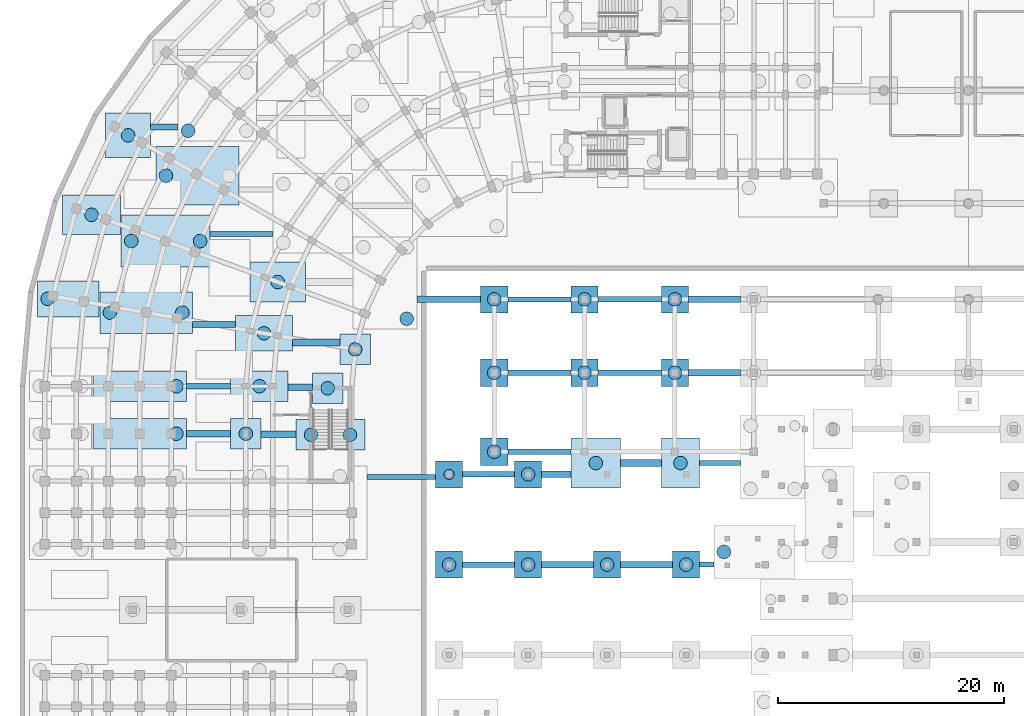
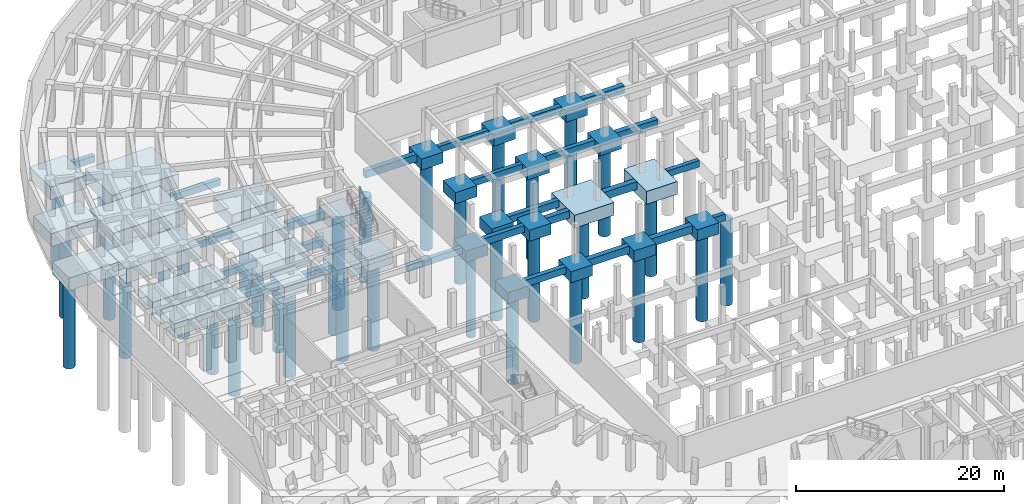
# One storey, part 6 of 53: 56 footings, 36 piles.
"""IFC4 building model written with IfcOpenShell, lengths in metres."""

from ifc_helpers import new_model, si_unit, direction, frame, origin, origin_2d, place, context, subcontext, project, spatial, rectangle, circle, extrude, material, material_profile, profile_set, type_object, element, save


model = new_model("IFC4")

# Units and contexts
model_context = context("Model", 3, precision=1e-05, world=origin(), true_north=direction((0.0, 1.0)))
body_context = subcontext(model_context, "Body", "Model", "MODEL_VIEW")
ifc_project = project(units=[si_unit("LENGTHUNIT", "METRE"), si_unit("AREAUNIT", "SQUARE_METRE"), si_unit("VOLUMEUNIT", "CUBIC_METRE"), si_unit("PLANEANGLEUNIT", "RADIAN"), si_unit("MASSUNIT", "GRAM", prefix="KILO")], contexts=[model_context])

# Site, building, storey
site_placement = place(None, origin())
site = spatial("IfcSite", under=ifc_project, at=site_placement, CompositionType="ELEMENT")
building_placement = place(site_placement, origin())
building = spatial("IfcBuilding", under=site, at=building_placement, Name="Kiranvali Square Residences", CompositionType="ELEMENT")
storey_placement = place(building_placement, frame((0.0, 0.0, -4.5)))
storey = spatial("IfcBuildingStorey", under=building, at=storey_placement, Name="B1", CompositionType="ELEMENT", Elevation=-4.5)

# Footings
ifc_material = material(Name="Concrete M40 (40 MPa)", Category="concrete")
footing_type_1 = type_object("IfcFootingType", Name="FTG-PILE_CAP-240x240x130", PredefinedType="PILE_CAP", material=ifc_material)
for number, where, z_axis, x_axis, name in (
    (1, (38.0, 72.0, -1.7998046875), (0.0, 0.0, 1.0), (1.0, 0.0, 0.0), "B1 pile cap 182"),
    (2, (45.0, 72.0, -1.7998046875), (0.0, 0.0, 1.0), (1.0, 0.0, 0.0), "B1 pile cap 183"),
    (3, (52.0, 72.0, -1.7998046875), (0.0, 0.0, 1.0), (1.0, 0.0, 0.0), "B1 pile cap 184"),
    (4, (59.0, 72.0, -1.7998046875), (0.0, 0.0, 1.0), (1.0, 0.0, 0.0), "B1 pile cap 185"),
    (5, (38.0, 80.0, -1.7998046875), (0.0, 0.0, 1.0), (1.0, 0.0, 0.0), "B1 pile cap 205"),
    (6, (45.0, 80.0, -1.7998046875), (0.0, 0.0, 1.0), (1.0, 0.0, 0.0), "B1 pile cap 206"),
    (7, (42.0, 82.0, -1.7998046875), (0.0, 0.0, 1.0), (1.0, 0.0, 0.0), "B1 pile cap 209"),
    (8, (42.0, 89.0, -1.7998046875), (0.0, 0.0, 1.0), (1.0, 0.0, 0.0), "B1 pile cap 237"),
    (9, (50.0, 89.0, -1.7998046875), (0.0, 0.0, 1.0), (1.0, 0.0, 0.0), "B1 pile cap 238"),
    (10, (58.0, 89.0, -1.7998046875), (0.0, 0.0, 1.0), (1.0, 0.0, 0.0), "B1 pile cap 239"),
    (11, (42.0, 95.5, -1.7998046875), (0.0, 0.0, 1.0), (1.0, 0.0, 0.0), "B1 pile cap 258"),
    (12, (50.0, 95.5, -1.7998046875), (0.0, 0.0, 1.0), (1.0, 0.0, 0.0), "B1 pile cap 259"),
    (13, (58.0, 95.5, -1.7998046875), (0.0, 0.0, 1.0), (1.0, 0.0, 0.0), "B1 pile cap 260"),
):
    element("IfcFooting", number, at=place(storey_placement, frame(where, z_axis=z_axis, x_axis=x_axis)), inside=storey, type_object=footing_type_1, Name=name, PredefinedType="PILE_CAP", context=body_context, shape_type="SweptSolid", body=[
        extrude(rectangle(XDim=2.39990234375, YDim=2.39990234375, at=origin_2d()), origin(), (0.0, 0.0, 1.0), 1.300048828125),
    ])
footing_type_2 = type_object("IfcFootingType", Name="FTG-PILE_CAP-270x270x130", PredefinedType="PILE_CAP", material=ifc_material)
for number, where, z_axis, x_axis, name in (
    (14, (25.77490234375, 83.5, -1.7998046875), (0.0, 0.0, 1.0), (1.0, 0.0, 0.0), "B1 pile cap 214"),
    (15, (29.22509765625, 83.5, -1.7998046875), (0.0, 0.0, 1.0), (1.0, 0.0, 0.0), "B1 pile cap 215"),
    (16, (20.0, 83.60009765625, -1.7998046875), (0.0, 0.0, 1.0), (1.0, 0.0, 0.0), "B1 pile cap 220"),
    (17, (27.25, 87.625, -1.7998046875), (0.0, 0.0, 1.0), (1.0, 0.0, 0.0), "B1 pile cap 229"),
    (18, (29.68603515625, 91.06494140625, -1.7998046875), (0.0, 0.0, 1.0), (1.0, 0.0, 0.0), "B1 pile cap 248"),
):
    element("IfcFooting", number, at=place(storey_placement, frame(where, z_axis=z_axis, x_axis=x_axis)), inside=storey, type_object=footing_type_2, Name=name, PredefinedType="PILE_CAP", context=body_context, shape_type="SweptSolid", body=[
        extrude(rectangle(XDim=2.699951171875, YDim=2.699951171875, at=origin_2d()), origin(), (0.0, 0.0, 1.0), 1.300048828125),
    ])
footing_type_3 = type_object("IfcFootingType", Name="FTG-PILE_CAP-395x395x150", PredefinedType="PILE_CAP", material=ifc_material)
footing_1_placement = place(storey_placement, frame((9.56689453125, 110.02490234375, -2.0), z_axis=(0.0, 0.0, 1.0), x_axis=(1.0, 0.0, 0.0)))
element("IfcFooting", 19, at=footing_1_placement, inside=storey, type_object=footing_type_3, Name="B1 pile cap 296", PredefinedType="PILE_CAP", context=body_context, shape_type="SweptSolid", body=[
    extrude(rectangle(XDim=3.949951171875, YDim=3.949951171875, at=origin_2d()), origin(), (0.0, 0.0, 1.0), 1.5),
])
footing_type_4 = type_object("IfcFootingType", Name="FTG-PILE_CAP-440x340x150", PredefinedType="PILE_CAP", material=ifc_material)
footing_2_placement = place(storey_placement, frame((58.5, 81.0, -2.0), z_axis=(0.0, 0.0, 1.0), x_axis=(0.0, 1.0, 0.0)))
element("IfcFooting", 20, at=footing_2_placement, inside=storey, type_object=footing_type_4, Name="B1 pile cap 208", PredefinedType="PILE_CAP", context=body_context, shape_type="SweptSolid", body=[
    extrude(rectangle(XDim=4.39990234375, YDim=3.39990234375, at=origin_2d()), origin(), (0.0, 0.0, 1.0), 1.5),
])
footing_type_5 = type_object("IfcFootingType", Name="FTG-PILE_CAP-440x440x150", PredefinedType="PILE_CAP", material=ifc_material)
footing_3_placement = place(storey_placement, frame((51.0, 81.0, -2.0), z_axis=(0.0, 0.0, 1.0), x_axis=(1.0, 0.0, 0.0)))
element("IfcFooting", 21, at=footing_3_placement, inside=storey, type_object=footing_type_5, Name="B1 pile cap 207", PredefinedType="PILE_CAP", context=body_context, shape_type="SweptSolid", body=[
    extrude(rectangle(XDim=4.39990234375, YDim=4.39990234375, at=origin_2d()), origin(), (0.0, 0.0, 1.0), 1.5),
])
footing_type_6 = type_object("IfcFootingType", Name="FTG-PILE_CAP-496x352x150", PredefinedType="PILE_CAP", material=ifc_material)
footing_4_placement = place(storey_placement, frame((22.82861328125, 97.034423828125, -2.0), z_axis=(0.0, 0.0, 1.0), x_axis=(1.0, 0.0, 0.0)))
element("IfcFooting", 22, at=footing_4_placement, inside=storey, type_object=footing_type_6, Name="B1 pile cap 269", PredefinedType="PILE_CAP", context=body_context, shape_type="SweptSolid", body=[
    extrude(rectangle(XDim=4.955078125, YDim=3.52099609375, at=origin_2d()), origin(), (0.0, 0.0, 1.0), 1.5),
])
footing_type_7 = type_object("IfcFootingType", Name="FTG-PILE_CAP-506x312x150", PredefinedType="PILE_CAP", material=ifc_material)
footing_5_placement = place(storey_placement, frame((21.610107421875, 92.488525390625, -2.0), z_axis=(0.0, 0.0, 1.0), x_axis=(1.0, 0.0, 0.0)))
element("IfcFooting", 23, at=footing_5_placement, inside=storey, type_object=footing_type_7, Name="B1 pile cap 250", PredefinedType="PILE_CAP", context=body_context, shape_type="SweptSolid", body=[
    extrude(rectangle(XDim=5.06396484375, YDim=3.116943359375, at=origin_2d()), origin(), (0.0, 0.0, 1.0), 1.5),
])
footing_type_8 = type_object("IfcFootingType", Name="FTG-PILE_CAP-510x270x150", PredefinedType="PILE_CAP", material=ifc_material)
footing_6_placement = place(storey_placement, frame((21.199951171875, 87.800048828125, -2.0), z_axis=(0.0, 0.0, 1.0), x_axis=(1.0, 0.0, 0.0)))
element("IfcFooting", 24, at=footing_6_placement, inside=storey, type_object=footing_type_8, Name="B1 pile cap 233", PredefinedType="PILE_CAP", context=body_context, shape_type="SweptSolid", body=[
    extrude(rectangle(XDim=5.10009765625, YDim=2.699951171875, at=origin_2d()), origin(), (0.0, 0.0, 1.0), 1.5),
])
footing_type_9 = type_object("IfcFootingType", Name="FTG-PILE_CAP-512x351x150", PredefinedType="PILE_CAP", material=ifc_material)
footing_7_placement = place(storey_placement, frame((6.33251953125, 102.97900390625, -2.0), z_axis=(0.0, 0.0, 1.0), x_axis=(1.0, 0.0, 0.0)))
element("IfcFooting", 25, at=footing_7_placement, inside=storey, type_object=footing_type_9, Name="B1 pile cap 277", PredefinedType="PILE_CAP", context=body_context, shape_type="SweptSolid", body=[
    extrude(rectangle(XDim=5.116943359375, YDim=3.508056640625, at=origin_2d()), origin(), (0.0, 0.0, 1.0), 1.5),
])
footing_type_10 = type_object("IfcFootingType", Name="FTG-PILE_CAP-546x319x150", PredefinedType="PILE_CAP", material=ifc_material)
footing_8_placement = place(storey_placement, frame((4.277587890625, 95.544921875, -2.0), z_axis=(0.0, 0.0, 1.0), x_axis=(1.0, 0.0, 0.0)))
element("IfcFooting", 26, at=footing_8_placement, inside=storey, type_object=footing_type_10, Name="B1 pile cap 256", PredefinedType="PILE_CAP", context=body_context, shape_type="SweptSolid", body=[
    extrude(rectangle(XDim=5.45703125, YDim=3.18603515625, at=origin_2d()), origin(), (0.0, 0.0, 1.0), 1.5),
])
footing_type_11 = type_object("IfcFootingType", Name="FTG-PILE_CAP-738x520x165", PredefinedType="PILE_CAP", material=ifc_material)
footing_9_placement = place(storey_placement, frame((15.720947265625, 106.451904296875, -2.14990234375), z_axis=(0.0, 0.0, 1.0), x_axis=(1.0, 0.0, 0.0)))
element("IfcFooting", 27, at=footing_9_placement, inside=storey, type_object=footing_type_11, Name="B1 pile cap 284", PredefinedType="PILE_CAP", context=body_context, shape_type="SweptSolid", body=[
    extrude(rectangle(XDim=7.382080078125, YDim=5.2041015625, at=origin_2d()), origin(), (0.0, 0.0, 1.0), 1.64990234375),
])
footing_type_12 = type_object("IfcFootingType", Name="FTG-PILE_CAP-790x462x165", PredefinedType="PILE_CAP", material=ifc_material)
footing_10_placement = place(storey_placement, frame((12.8994140625, 100.659912109375, -2.14990234375), z_axis=(0.0, 0.0, 1.0), x_axis=(1.0, 0.0, 0.0)))
element("IfcFooting", 28, at=footing_10_placement, inside=storey, type_object=footing_type_12, Name="B1 pile cap 271", PredefinedType="PILE_CAP", context=body_context, shape_type="SweptSolid", body=[
    extrude(rectangle(XDim=7.89892578125, YDim=4.615966796875, at=origin_2d()), origin(), (0.0, 0.0, 1.0), 1.64990234375),
])
footing_type_13 = type_object("IfcFootingType", Name="FTG-PILE_CAP-821x367x165", PredefinedType="PILE_CAP", material=ifc_material)
footing_11_placement = place(storey_placement, frame((11.17138671875, 94.3291015625, -2.14990234375), z_axis=(0.0, 0.0, 1.0), x_axis=(1.0, 0.0, 0.0)))
element("IfcFooting", 29, at=footing_11_placement, inside=storey, type_object=footing_type_13, Name="B1 pile cap 252", PredefinedType="PILE_CAP", context=body_context, shape_type="SweptSolid", body=[
    extrude(rectangle(XDim=8.215087890625, YDim=3.672119140625, at=origin_2d()), origin(), (0.0, 0.0, 1.0), 1.64990234375),
])
footing_type_14 = type_object("IfcFootingType", Name="FTG-PILE_CAP-830x270x150", PredefinedType="PILE_CAP", material=ifc_material)
for number, where, z_axis, x_axis, name in (
    (30, (10.60009765625, 83.60009765625, -2.0), (0.0, 0.0, 1.0), (1.0, 0.0, 0.0), "B1 pile cap 219"),
    (31, (10.60009765625, 87.800048828125, -2.0), (0.0, 0.0, 1.0), (1.0, 0.0, 0.0), "B1 pile cap 232"),
):
    element("IfcFooting", number, at=place(storey_placement, frame(where, z_axis=z_axis, x_axis=x_axis)), inside=storey, type_object=footing_type_14, Name=name, PredefinedType="PILE_CAP", context=body_context, shape_type="SweptSolid", body=[
        extrude(rectangle(XDim=8.300048828125, YDim=2.699951171875, at=origin_2d()), origin(), (0.0, 0.0, 1.0), 1.5),
    ])
ifc_material_profile_1 = material_profile(ifc_material, rectangle(XDim=0.449951171875, YDim=0.75, at=origin_2d()), Name="GB 450x750")
ifc_profile_set_1 = profile_set([ifc_material_profile_1], Name="Concrete M40 (40 MPa)")
footing_type_15 = type_object("IfcFootingType", Name="GB-M40-450x750", PredefinedType="FOOTING_BEAM", material=ifc_profile_set_1)
footing_12_placement = place(storey_placement, frame((60.199951171875, 72.0, -0.875), z_axis=(1.0, 0.0, 0.0), x_axis=(0.0, 1.0, 0.0)))
element("IfcFooting", 32, at=footing_12_placement, inside=storey, type_object=footing_type_15, Name="Continuous foundation ground beam GB-144", PredefinedType="FOOTING_BEAM", context=body_context, shape_type="SweptSolid", body=[
    extrude(rectangle(XDim=0.449951171875, YDim=0.75, at=origin_2d()), origin(), (0.0, 0.0, 1.0), 1.25),
])
footing_13_placement = place(storey_placement, frame((30.75, 79.762451171875, -0.875), z_axis=(1.0, 0.0, 0.0), x_axis=(0.0, 1.0, 0.0)))
element("IfcFooting", 33, at=footing_13_placement, inside=storey, type_object=footing_type_15, Name="Continuous foundation ground beam GB-148", PredefinedType="FOOTING_BEAM", context=body_context, shape_type="SweptSolid", body=[
    extrude(rectangle(XDim=0.449951171875, YDim=0.75, at=origin_2d()), origin(), (0.0, 0.0, 1.0), 6.050048828125),
])
footing_14_placement = place(storey_placement, frame((60.199951171875, 81.0, -0.875), z_axis=(1.0, 0.0, 0.0), x_axis=(0.0, 1.0, 0.0)))
element("IfcFooting", 34, at=footing_14_placement, inside=storey, type_object=footing_type_15, Name="Continuous foundation ground beam GB-160", PredefinedType="FOOTING_BEAM", context=body_context, shape_type="SweptSolid", body=[
    extrude(rectangle(XDim=0.449951171875, YDim=0.75, at=origin_2d()), origin(), (0.0, 0.0, 1.0), 3.60009765625),
])
for number, where, z_axis, x_axis, name in (
    (35, (43.199951171875, 89.0, -0.875), (1.0, 0.0, 0.0), (0.0, 1.0, 0.0), "Continuous foundation ground beam GB-176"),
    (36, (43.199951171875, 95.5, -0.875), (1.0, 0.0, 0.0), (0.0, 1.0, 0.0), "Continuous foundation ground beam GB-192"),
):
    element("IfcFooting", number, at=place(storey_placement, frame(where, z_axis=z_axis, x_axis=x_axis)), inside=storey, type_object=footing_type_15, Name=name, PredefinedType="FOOTING_BEAM", context=body_context, shape_type="SweptSolid", body=[
        extrude(rectangle(XDim=0.449951171875, YDim=0.75, at=origin_2d()), origin(), (0.0, 0.0, 1.0), 5.60009765625),
    ])
footing_15_placement = place(storey_placement, frame((16.84912109375, 101.284912109375, -0.875), z_axis=(1.0, 0.0, 0.0), x_axis=(0.0, 1.0, 0.0)))
element("IfcFooting", 37, at=footing_15_placement, inside=storey, type_object=footing_type_15, Name="Continuous foundation ground beam GB-204", PredefinedType="FOOTING_BEAM", context=body_context, shape_type="SweptSolid", body=[
    extrude(rectangle(XDim=0.449951171875, YDim=0.75, at=origin_2d()), origin(), (0.0, 0.0, 1.0), 5.578857421875),
])
ifc_material_profile_2 = material_profile(ifc_material, rectangle(XDim=0.5, YDim=0.800048828125, at=origin_2d()), Name="GB 500x800")
ifc_profile_set_2 = profile_set([ifc_material_profile_2], Name="Concrete M40 (40 MPa)")
footing_type_16 = type_object("IfcFootingType", Name="GB-M40-500x800", PredefinedType="FOOTING_BEAM", material=ifc_profile_set_2)
for number, where, z_axis, x_axis, name in (
    (38, (39.199951171875, 72.0, -0.89990234375), (1.0, 0.0, 0.0), (0.0, 1.0, 0.0), "Continuous foundation ground beam GB-141"),
    (39, (39.199951171875, 80.0, -0.89990234375), (1.0, 0.0, 0.0), (0.0, 1.0, 0.0), "Continuous foundation ground beam GB-157"),
):
    element("IfcFooting", number, at=place(storey_placement, frame(where, z_axis=z_axis, x_axis=x_axis)), inside=storey, type_object=footing_type_16, Name=name, PredefinedType="FOOTING_BEAM", context=body_context, shape_type="SweptSolid", body=[
        extrude(rectangle(XDim=0.5, YDim=0.800048828125, at=origin_2d()), origin(), (0.0, 0.0, 1.0), 4.60009765625),
    ])
footing_16_placement = place(storey_placement, frame((43.199951171875, 82.0, -0.89990234375), z_axis=(1.0, 0.0, 0.0), x_axis=(0.0, 1.0, 0.0)))
element("IfcFooting", 40, at=footing_16_placement, inside=storey, type_object=footing_type_16, Name="Continuous foundation ground beam GB-161", PredefinedType="FOOTING_BEAM", context=body_context, shape_type="SweptSolid", body=[
    extrude(rectangle(XDim=0.5, YDim=0.800048828125, at=origin_2d()), origin(), (0.0, 0.0, 1.0), 5.60009765625),
])
footing_17_placement = place(storey_placement, frame((14.75, 87.800048828125, -0.89990234375), z_axis=(1.0, 0.0, 0.0), x_axis=(0.0, 1.0, 0.0)))
element("IfcFooting", 41, at=footing_17_placement, inside=storey, type_object=footing_type_16, Name="Continuous foundation ground beam GB-173", PredefinedType="FOOTING_BEAM", context=body_context, shape_type="SweptSolid", body=[
    extrude(rectangle(XDim=0.5, YDim=0.800048828125, at=origin_2d()), origin(), (0.0, 0.0, 1.0), 3.89990234375),
])
footing_18_placement = place(storey_placement, frame((51.199951171875, 89.0, -0.89990234375), z_axis=(1.0, 0.0, 0.0), x_axis=(0.0, 1.0, 0.0)))
element("IfcFooting", 42, at=footing_18_placement, inside=storey, type_object=footing_type_16, Name="Continuous foundation ground beam GB-177", PredefinedType="FOOTING_BEAM", context=body_context, shape_type="SweptSolid", body=[
    extrude(rectangle(XDim=0.5, YDim=0.800048828125, at=origin_2d()), origin(), (0.0, 0.0, 1.0), 5.60009765625),
])
footing_19_placement = place(storey_placement, frame((15.279052734375, 93.27001953125, -0.89990234375), z_axis=(1.0, 0.0, 0.0), x_axis=(0.0, 1.0, 0.0)))
element("IfcFooting", 43, at=footing_19_placement, inside=storey, type_object=footing_type_16, Name="Continuous foundation ground beam GB-189", PredefinedType="FOOTING_BEAM", context=body_context, shape_type="SweptSolid", body=[
    extrude(rectangle(XDim=0.5, YDim=0.800048828125, at=origin_2d()), origin(), (0.0, 0.0, 1.0), 3.798828125),
])
footing_20_placement = place(storey_placement, frame((51.199951171875, 95.5, -0.89990234375), z_axis=(1.0, 0.0, 0.0), x_axis=(0.0, 1.0, 0.0)))
element("IfcFooting", 44, at=footing_20_placement, inside=storey, type_object=footing_type_16, Name="Continuous foundation ground beam GB-193", PredefinedType="FOOTING_BEAM", context=body_context, shape_type="SweptSolid", body=[
    extrude(rectangle(XDim=0.5, YDim=0.800048828125, at=origin_2d()), origin(), (0.0, 0.0, 1.0), 5.60009765625),
])
footing_21_placement = place(storey_placement, frame((11.5419921875, 110.76611328125, -0.89990234375), z_axis=(1.0, 0.0, 0.0), x_axis=(0.0, 1.0, 0.0)))
element("IfcFooting", 45, at=footing_21_placement, inside=storey, type_object=footing_type_16, Name="Continuous foundation ground beam GB-221", PredefinedType="FOOTING_BEAM", context=body_context, shape_type="SweptSolid", body=[
    extrude(rectangle(XDim=0.5, YDim=0.800048828125, at=origin_2d()), origin(), (0.0, 0.0, 1.0), 2.447021484375),
])
ifc_material_profile_3 = material_profile(ifc_material, rectangle(XDim=0.550048828125, YDim=0.85009765625, at=origin_2d()), Name="GB 550x850")
ifc_profile_set_3 = profile_set([ifc_material_profile_3], Name="Concrete M40 (40 MPa)")
footing_type_17 = type_object("IfcFootingType", Name="GB-M40-550x850", PredefinedType="FOOTING_BEAM", material=ifc_profile_set_3)
footing_22_placement = place(storey_placement, frame((46.199951171875, 72.0, -0.925048828125), z_axis=(1.0, 0.0, 0.0), x_axis=(0.0, 1.0, 0.0)))
element("IfcFooting", 46, at=footing_22_placement, inside=storey, type_object=footing_type_17, Name="Continuous foundation ground beam GB-142", PredefinedType="FOOTING_BEAM", context=body_context, shape_type="SweptSolid", body=[
    extrude(rectangle(XDim=0.550048828125, YDim=0.85009765625, at=origin_2d()), origin(), (0.0, 0.0, 1.0), 4.60009765625),
])
footing_23_placement = place(storey_placement, frame((46.199951171875, 80.0, -0.925048828125), z_axis=(1.0, 0.0, 0.0), x_axis=(0.0, 1.0, 0.0)))
element("IfcFooting", 47, at=footing_23_placement, inside=storey, type_object=footing_type_17, Name="Continuous foundation ground beam GB-158", PredefinedType="FOOTING_BEAM", context=body_context, shape_type="SweptSolid", body=[
    extrude(rectangle(XDim=0.550048828125, YDim=0.85009765625, at=origin_2d()), origin(), (0.0, 0.0, 1.0), 2.60009765625),
])
footing_24_placement = place(storey_placement, frame((14.75, 83.60009765625, -0.925048828125), z_axis=(1.0, 0.0, 0.0), x_axis=(0.0, 1.0, 0.0)))
element("IfcFooting", 48, at=footing_24_placement, inside=storey, type_object=footing_type_17, Name="Continuous foundation ground beam GB-166", PredefinedType="FOOTING_BEAM", context=body_context, shape_type="SweptSolid", body=[
    extrude(rectangle(XDim=0.550048828125, YDim=0.85009765625, at=origin_2d()), origin(), (0.0, 0.0, 1.0), 3.89990234375),
])
footing_25_placement = place(storey_placement, frame((23.75, 87.71240234375, -0.925048828125), z_axis=(1.0, 0.0, 0.0), x_axis=(0.0, 1.0, 0.0)))
element("IfcFooting", 49, at=footing_25_placement, inside=storey, type_object=footing_type_17, Name="Continuous foundation ground beam GB-174", PredefinedType="FOOTING_BEAM", context=body_context, shape_type="SweptSolid", body=[
    extrude(rectangle(XDim=0.550048828125, YDim=0.85009765625, at=origin_2d()), origin(), (0.0, 0.0, 1.0), 2.14990234375),
])
footing_26_placement = place(storey_placement, frame((59.199951171875, 89.0, -0.925048828125), z_axis=(1.0, 0.0, 0.0), x_axis=(0.0, 1.0, 0.0)))
element("IfcFooting", 50, at=footing_26_placement, inside=storey, type_object=footing_type_17, Name="Continuous foundation ground beam GB-178", PredefinedType="FOOTING_BEAM", context=body_context, shape_type="SweptSolid", body=[
    extrude(rectangle(XDim=0.550048828125, YDim=0.85009765625, at=origin_2d()), origin(), (0.0, 0.0, 1.0), 4.60009765625),
])
footing_27_placement = place(storey_placement, frame((35.14794921875, 95.5, -0.925048828125), z_axis=(1.0, 0.0, 0.0), x_axis=(0.0, 1.0, 0.0)))
element("IfcFooting", 51, at=footing_27_placement, inside=storey, type_object=footing_type_17, Name="Continuous foundation ground beam GB-190", PredefinedType="FOOTING_BEAM", context=body_context, shape_type="SweptSolid", body=[
    extrude(rectangle(XDim=0.550048828125, YDim=0.85009765625, at=origin_2d()), origin(), (0.0, 0.0, 1.0), 5.652099609375),
])
footing_28_placement = place(storey_placement, frame((59.199951171875, 95.5, -0.925048828125), z_axis=(1.0, 0.0, 0.0), x_axis=(0.0, 1.0, 0.0)))
element("IfcFooting", 52, at=footing_28_placement, inside=storey, type_object=footing_type_17, Name="Continuous foundation ground beam GB-194", PredefinedType="FOOTING_BEAM", context=body_context, shape_type="SweptSolid", body=[
    extrude(rectangle(XDim=0.550048828125, YDim=0.85009765625, at=origin_2d()), origin(), (0.0, 0.0, 1.0), 4.60009765625),
])
ifc_material_profile_4 = material_profile(ifc_material, rectangle(XDim=0.60009765625, YDim=0.89990234375, at=origin_2d()), Name="GB 600x900")
ifc_profile_set_4 = profile_set([ifc_material_profile_4], Name="Concrete M40 (40 MPa)")
footing_type_18 = type_object("IfcFootingType", Name="GB-M40-600x900", PredefinedType="FOOTING_BEAM", material=ifc_profile_set_4)
footing_29_placement = place(storey_placement, frame((53.199951171875, 72.0, -0.949951171875), z_axis=(1.0, 0.0, 0.0), x_axis=(0.0, 1.0, 0.0)))
element("IfcFooting", 53, at=footing_29_placement, inside=storey, type_object=footing_type_18, Name="Continuous foundation ground beam GB-143", PredefinedType="FOOTING_BEAM", context=body_context, shape_type="SweptSolid", body=[
    extrude(rectangle(XDim=0.60009765625, YDim=0.89990234375, at=origin_2d()), origin(), (0.0, 0.0, 1.0), 4.60009765625),
])
footing_30_placement = place(storey_placement, frame((53.199951171875, 81.0, -0.949951171875), z_axis=(1.0, 0.0, 0.0), x_axis=(0.0, 1.0, 0.0)))
element("IfcFooting", 54, at=footing_30_placement, inside=storey, type_object=footing_type_18, Name="Continuous foundation ground beam GB-159", PredefinedType="FOOTING_BEAM", context=body_context, shape_type="SweptSolid", body=[
    extrude(rectangle(XDim=0.60009765625, YDim=0.89990234375, at=origin_2d()), origin(), (0.0, 0.0, 1.0), 3.60009765625),
])
footing_31_placement = place(storey_placement, frame((21.35009765625, 83.550048828125, -0.949951171875), z_axis=(1.0, 0.0, 0.0), x_axis=(0.0, 1.0, 0.0)))
element("IfcFooting", 55, at=footing_31_placement, inside=storey, type_object=footing_type_18, Name="Continuous foundation ground beam GB-167", PredefinedType="FOOTING_BEAM", context=body_context, shape_type="SweptSolid", body=[
    extrude(rectangle(XDim=0.60009765625, YDim=0.89990234375, at=origin_2d()), origin(), (0.0, 0.0, 1.0), 3.074951171875),
])
footing_32_placement = place(storey_placement, frame((24.14208984375, 91.672607421875, -0.949951171875), z_axis=(1.0, 0.0, 0.0), x_axis=(0.0, 1.0, 0.0)))
element("IfcFooting", 56, at=footing_32_placement, inside=storey, type_object=footing_type_18, Name="Continuous foundation ground beam GB-187", PredefinedType="FOOTING_BEAM", context=body_context, shape_type="SweptSolid", body=[
    extrude(rectangle(XDim=0.60009765625, YDim=0.89990234375, at=origin_2d()), origin(), (0.0, 0.0, 1.0), 4.19384765625),
])

# Piles
ifc_material_profile_5 = material_profile(ifc_material, circle(Radius=0.60009765625, at=origin_2d()), Name="BORED PILE 1200")
ifc_profile_set_5 = profile_set([ifc_material_profile_5], Name="Concrete M40 (40 MPa)")
pile_type_1 = type_object("IfcPileType", Name="PILE-BORED-1200", PredefinedType="BORED", material=ifc_profile_set_5)
pile_1_placement = place(storey_placement, frame((62.35009765625, 73.1298828125, -2.050048828125), z_axis=(0.0, 0.0, -1.0), x_axis=(1.0, 0.0, 0.0)))
element("IfcPile", 57, at=pile_1_placement, inside=storey, type_object=pile_type_1, Name="Bored basalt-socketed pile P-0248", PredefinedType="BORED", context=body_context, shape_type="SweptSolid", body=[
    extrude(circle(Radius=0.60009765625, at=origin_2d()), origin(), (0.0, 0.0, 1.0), 9.949951171875),
])
for number, where, z_axis, x_axis, name in (
    (58, (38.0, 72.0, -1.699951171875), (0.0, 0.0, -1.0), (1.0, 0.0, 0.0), "Bored basalt-socketed pile P-0250"),
    (59, (45.0, 72.0, -1.699951171875), (0.0, 0.0, -1.0), (1.0, 0.0, 0.0), "Bored basalt-socketed pile P-0251"),
    (60, (52.0, 72.0, -1.699951171875), (0.0, 0.0, -1.0), (1.0, 0.0, 0.0), "Bored basalt-socketed pile P-0252"),
    (61, (59.0, 72.0, -1.699951171875), (0.0, 0.0, -1.0), (1.0, 0.0, 0.0), "Bored basalt-socketed pile P-0253"),
    (62, (45.0, 80.0, -1.699951171875), (0.0, 0.0, -1.0), (1.0, 0.0, 0.0), "Bored basalt-socketed pile P-0289"),
):
    element("IfcPile", number, at=place(storey_placement, frame(where, z_axis=z_axis, x_axis=x_axis)), inside=storey, type_object=pile_type_1, Name=name, PredefinedType="BORED", context=body_context, shape_type="SweptSolid", body=[
        extrude(circle(Radius=0.60009765625, at=origin_2d()), origin(), (0.0, 0.0, 1.0), 10.300048828125),
    ])
for number, where, z_axis, x_axis, name in (
    (63, (51.0, 81.0, -1.89990234375), (0.0, 0.0, -1.0), (1.0, 0.0, 0.0), "Bored basalt-socketed pile P-0290"),
    (64, (58.5, 81.0, -1.89990234375), (0.0, 0.0, -1.0), (1.0, 0.0, 0.0), "Bored basalt-socketed pile P-0291"),
):
    element("IfcPile", number, at=place(storey_placement, frame(where, z_axis=z_axis, x_axis=x_axis)), inside=storey, type_object=pile_type_1, Name=name, PredefinedType="BORED", context=body_context, shape_type="SweptSolid", body=[
        extrude(circle(Radius=0.60009765625, at=origin_2d()), origin(), (0.0, 0.0, 1.0), 10.10009765625),
    ])
for number, where, z_axis, x_axis, name in (
    (65, (42.0, 82.0, -1.699951171875), (0.0, 0.0, -1.0), (1.0, 0.0, 0.0), "Bored basalt-socketed pile P-0292"),
    (66, (25.77490234375, 83.5, -1.699951171875), (0.0, 0.0, -1.0), (1.0, 0.0, 0.0), "Bored basalt-socketed pile P-0297"),
    (67, (29.22509765625, 83.5, -1.699951171875), (0.0, 0.0, -1.0), (1.0, 0.0, 0.0), "Bored basalt-socketed pile P-0298"),
):
    element("IfcPile", number, at=place(storey_placement, frame(where, z_axis=z_axis, x_axis=x_axis)), inside=storey, type_object=pile_type_1, Name=name, PredefinedType="BORED", context=body_context, shape_type="SweptSolid", body=[
        extrude(circle(Radius=0.60009765625, at=origin_2d()), origin(), (0.0, 0.0, 1.0), 10.300048828125),
    ])
pile_2_placement = place(storey_placement, frame((13.85009765625, 83.60009765625, -1.89990234375), z_axis=(0.0, 0.0, -1.0), x_axis=(1.0, 0.0, 0.0)))
element("IfcPile", 68, at=pile_2_placement, inside=storey, type_object=pile_type_1, Name="Bored basalt-socketed pile P-0303", PredefinedType="BORED", context=body_context, shape_type="SweptSolid", body=[
    extrude(circle(Radius=0.60009765625, at=origin_2d()), origin(), (0.0, 0.0, 1.0), 10.10009765625),
])
for number, where, z_axis, x_axis, name in (
    (69, (20.0, 83.60009765625, -1.699951171875), (0.0, 0.0, -1.0), (1.0, 0.0, 0.0), "Bored basalt-socketed pile P-0304"),
    (70, (27.25, 87.625, -1.699951171875), (0.0, 0.0, -1.0), (1.0, 0.0, 0.0), "Bored basalt-socketed pile P-0313"),
):
    element("IfcPile", number, at=place(storey_placement, frame(where, z_axis=z_axis, x_axis=x_axis)), inside=storey, type_object=pile_type_1, Name=name, PredefinedType="BORED", context=body_context, shape_type="SweptSolid", body=[
        extrude(circle(Radius=0.60009765625, at=origin_2d()), origin(), (0.0, 0.0, 1.0), 10.300048828125),
    ])
for number, where, z_axis, x_axis, name in (
    (71, (13.85009765625, 87.800048828125, -1.89990234375), (0.0, 0.0, -1.0), (1.0, 0.0, 0.0), "Bored basalt-socketed pile P-0317"),
    (72, (21.199951171875, 87.800048828125, -1.89990234375), (0.0, 0.0, -1.0), (1.0, 0.0, 0.0), "Bored basalt-socketed pile P-0318"),
):
    element("IfcPile", number, at=place(storey_placement, frame(where, z_axis=z_axis, x_axis=x_axis)), inside=storey, type_object=pile_type_1, Name=name, PredefinedType="BORED", context=body_context, shape_type="SweptSolid", body=[
        extrude(circle(Radius=0.60009765625, at=origin_2d()), origin(), (0.0, 0.0, 1.0), 10.10009765625),
    ])
for number, where, z_axis, x_axis, name in (
    (73, (42.0, 89.0, -1.699951171875), (0.0, 0.0, -1.0), (1.0, 0.0, 0.0), "Bored basalt-socketed pile P-0323"),
    (74, (50.0, 89.0, -1.699951171875), (0.0, 0.0, -1.0), (1.0, 0.0, 0.0), "Bored basalt-socketed pile P-0324"),
    (75, (58.0, 89.0, -1.699951171875), (0.0, 0.0, -1.0), (1.0, 0.0, 0.0), "Bored basalt-socketed pile P-0325"),
    (76, (29.68603515625, 91.06494140625, -1.699951171875), (0.0, 0.0, -1.0), (1.0, 0.0, 0.0), "Bored basalt-socketed pile P-0334"),
):
    element("IfcPile", number, at=place(storey_placement, frame(where, z_axis=z_axis, x_axis=x_axis)), inside=storey, type_object=pile_type_1, Name=name, PredefinedType="BORED", context=body_context, shape_type="SweptSolid", body=[
        extrude(circle(Radius=0.60009765625, at=origin_2d()), origin(), (0.0, 0.0, 1.0), 10.300048828125),
    ])
pile_3_placement = place(storey_placement, frame((21.610107421875, 92.488525390625, -1.89990234375), z_axis=(0.0, 0.0, -1.0), x_axis=(1.0, 0.0, 0.0)))
element("IfcPile", 77, at=pile_3_placement, inside=storey, type_object=pile_type_1, Name="Bored basalt-socketed pile P-0336", PredefinedType="BORED", context=body_context, shape_type="SweptSolid", body=[
    extrude(circle(Radius=0.60009765625, at=origin_2d()), origin(), (0.0, 0.0, 1.0), 10.10009765625),
])
for number, where, z_axis, x_axis, name in (
    (78, (7.964111328125, 94.3291015625, -2.050048828125), (0.0, 0.0, -1.0), (1.0, 0.0, 0.0), "Bored basalt-socketed pile P-0338"),
    (79, (14.37890625, 94.3291015625, -2.050048828125), (0.0, 0.0, -1.0), (1.0, 0.0, 0.0), "Bored basalt-socketed pile P-0339"),
    (80, (34.248046875, 93.780029296875, -2.050048828125), (0.0, 0.0, -1.0), (1.0, 0.0, 0.0), "Bored basalt-socketed pile P-0343"),
):
    element("IfcPile", number, at=place(storey_placement, frame(where, z_axis=z_axis, x_axis=x_axis)), inside=storey, type_object=pile_type_1, Name=name, PredefinedType="BORED", context=body_context, shape_type="SweptSolid", body=[
        extrude(circle(Radius=0.60009765625, at=origin_2d()), origin(), (0.0, 0.0, 1.0), 9.949951171875),
    ])
pile_4_placement = place(storey_placement, frame((2.448974609375, 95.544921875, -1.89990234375), z_axis=(0.0, 0.0, -1.0), x_axis=(1.0, 0.0, 0.0)))
element("IfcPile", 81, at=pile_4_placement, inside=storey, type_object=pile_type_1, Name="Bored basalt-socketed pile P-0348", PredefinedType="BORED", context=body_context, shape_type="SweptSolid", body=[
    extrude(circle(Radius=0.60009765625, at=origin_2d()), origin(), (0.0, 0.0, 1.0), 10.10009765625),
])
for number, where, z_axis, x_axis, name in (
    (82, (42.0, 95.5, -1.699951171875), (0.0, 0.0, -1.0), (1.0, 0.0, 0.0), "Bored basalt-socketed pile P-0350"),
    (83, (50.0, 95.5, -1.699951171875), (0.0, 0.0, -1.0), (1.0, 0.0, 0.0), "Bored basalt-socketed pile P-0351"),
    (84, (58.0, 95.5, -1.699951171875), (0.0, 0.0, -1.0), (1.0, 0.0, 0.0), "Bored basalt-socketed pile P-0352"),
):
    element("IfcPile", number, at=place(storey_placement, frame(where, z_axis=z_axis, x_axis=x_axis)), inside=storey, type_object=pile_type_1, Name=name, PredefinedType="BORED", context=body_context, shape_type="SweptSolid", body=[
        extrude(circle(Radius=0.60009765625, at=origin_2d()), origin(), (0.0, 0.0, 1.0), 10.300048828125),
    ])
pile_5_placement = place(storey_placement, frame((22.82861328125, 97.034423828125, -1.89990234375), z_axis=(0.0, 0.0, -1.0), x_axis=(1.0, 0.0, 0.0)))
element("IfcPile", 85, at=pile_5_placement, inside=storey, type_object=pile_type_1, Name="Bored basalt-socketed pile P-0361", PredefinedType="BORED", context=body_context, shape_type="SweptSolid", body=[
    extrude(circle(Radius=0.60009765625, at=origin_2d()), origin(), (0.0, 0.0, 1.0), 10.10009765625),
])
for number, where, z_axis, x_axis, name in (
    (86, (9.85009765625, 100.659912109375, -2.050048828125), (0.0, 0.0, -1.0), (1.0, 0.0, 0.0), "Bored basalt-socketed pile P-0363"),
    (87, (15.948974609375, 100.659912109375, -2.050048828125), (0.0, 0.0, -1.0), (1.0, 0.0, 0.0), "Bored basalt-socketed pile P-0364"),
):
    element("IfcPile", number, at=place(storey_placement, frame(where, z_axis=z_axis, x_axis=x_axis)), inside=storey, type_object=pile_type_1, Name=name, PredefinedType="BORED", context=body_context, shape_type="SweptSolid", body=[
        extrude(circle(Radius=0.60009765625, at=origin_2d()), origin(), (0.0, 0.0, 1.0), 9.949951171875),
    ])
pile_6_placement = place(storey_placement, frame((6.33251953125, 102.97900390625, -1.89990234375), z_axis=(0.0, 0.0, -1.0), x_axis=(1.0, 0.0, 0.0)))
element("IfcPile", 88, at=pile_6_placement, inside=storey, type_object=pile_type_1, Name="Bored basalt-socketed pile P-0379", PredefinedType="BORED", context=body_context, shape_type="SweptSolid", body=[
    extrude(circle(Radius=0.60009765625, at=origin_2d()), origin(), (0.0, 0.0, 1.0), 10.10009765625),
])
pile_7_placement = place(storey_placement, frame((12.929931640625, 106.451904296875, -2.050048828125), z_axis=(0.0, 0.0, -1.0), x_axis=(1.0, 0.0, 0.0)))
element("IfcPile", 89, at=pile_7_placement, inside=storey, type_object=pile_type_1, Name="Bored basalt-socketed pile P-0388", PredefinedType="BORED", context=body_context, shape_type="SweptSolid", body=[
    extrude(circle(Radius=0.60009765625, at=origin_2d()), origin(), (0.0, 0.0, 1.0), 9.949951171875),
])
pile_8_placement = place(storey_placement, frame((9.56689453125, 110.02490234375, -1.89990234375), z_axis=(0.0, 0.0, -1.0), x_axis=(1.0, 0.0, 0.0)))
element("IfcPile", 90, at=pile_8_placement, inside=storey, type_object=pile_type_1, Name="Bored basalt-socketed pile P-0402", PredefinedType="BORED", context=body_context, shape_type="SweptSolid", body=[
    extrude(circle(Radius=0.60009765625, at=origin_2d()), origin(), (0.0, 0.0, 1.0), 10.10009765625),
])
pile_9_placement = place(storey_placement, frame((14.888916015625, 110.431884765625, -2.050048828125), z_axis=(0.0, 0.0, -1.0), x_axis=(1.0, 0.0, 0.0)))
element("IfcPile", 91, at=pile_9_placement, inside=storey, type_object=pile_type_1, Name="Bored basalt-socketed pile P-0406", PredefinedType="BORED", context=body_context, shape_type="SweptSolid", body=[
    extrude(circle(Radius=0.60009765625, at=origin_2d()), origin(), (0.0, 0.0, 1.0), 9.949951171875),
])
ifc_material_profile_6 = material_profile(ifc_material, circle(Radius=0.449951171875, at=origin_2d()), Name="BORED PILE 900")
ifc_profile_set_6 = profile_set([ifc_material_profile_6], Name="Concrete M40 (40 MPa)")
pile_type_2 = type_object("IfcPileType", Name="PILE-BORED-900", PredefinedType="BORED", material=ifc_profile_set_6)
pile_10_placement = place(storey_placement, frame((38.0, 80.0, -1.699951171875), z_axis=(0.0, 0.0, -1.0), x_axis=(1.0, 0.0, 0.0)))
element("IfcPile", 92, at=pile_10_placement, inside=storey, type_object=pile_type_2, Name="Bored basalt-socketed pile P-0288", PredefinedType="BORED", context=body_context, shape_type="SweptSolid", body=[
    extrude(circle(Radius=0.449951171875, at=origin_2d()), origin(), (0.0, 0.0, 1.0), 9.800048828125),
])

save(model, "model.ifc")
